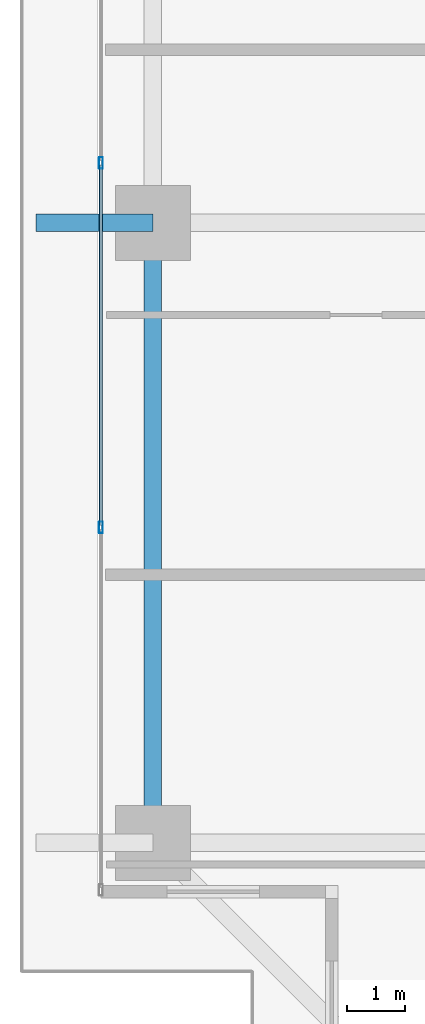
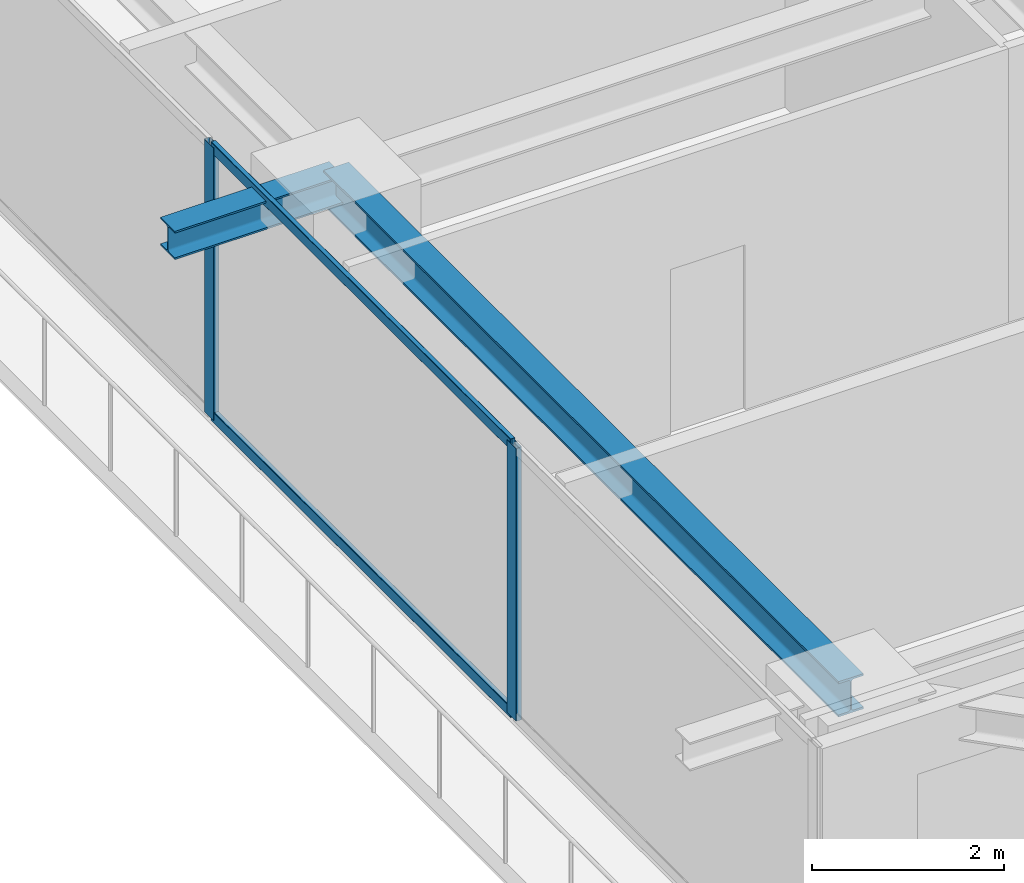
# One storey, part 7 of 36: 4 members, 2 beams, 1 element without a shape of its own.
"""IFC4 building model written with IfcOpenShell, lengths in metres."""

from ifc_helpers import new_model, si_unit, direction, frame, origin, origin_2d, place, context, subcontext, project, spatial, hollow_rectangle, i_section, extrude, source, transform, mapped, material, layer, layer_set, material_profile, profile_set, type_object, element, aggregate, save


model = new_model("IFC4")

# Units and contexts
model_context = context("Model", 3, precision=1e-05, world=origin(), true_north=direction((0.0, 1.0)))
body_context = subcontext(model_context, "Body", "Model", "MODEL_VIEW")
ifc_project = project(units=[si_unit("LENGTHUNIT", "METRE"), si_unit("AREAUNIT", "SQUARE_METRE"), si_unit("VOLUMEUNIT", "CUBIC_METRE"), si_unit("PLANEANGLEUNIT", "RADIAN"), si_unit("MASSUNIT", "GRAM", prefix="KILO")], contexts=[model_context])

# Site, building, storey
site_placement = place(None, origin())
site = spatial("IfcSite", under=ifc_project, at=site_placement, CompositionType="ELEMENT")
building_placement = place(site_placement, origin())
building = spatial("IfcBuilding", under=site, at=building_placement, Name="Serunith Strait Residences", CompositionType="ELEMENT")
storey_placement = place(building_placement, frame((0.0, 0.0, 131.39990234375)))
storey = spatial("IfcBuildingStorey", under=building, at=storey_placement, Name="L32", CompositionType="ELEMENT", Elevation=131.39990234375)

# Beams
ifc_material_1 = material(Name="Steel S355J2", Category="steel")
ifc_material_profile_1 = material_profile(ifc_material_1, i_section(OverallWidth=0.300048828125, OverallDepth=0.449951171875, WebThickness=0.013916015625, FlangeThickness=0.02587890625, FilletRadius=0.027099609375, at=origin_2d()), Name="HEB 450")
ifc_profile_set_1 = profile_set([ifc_material_profile_1], Name="Steel S355J2")
beam_type_1 = type_object("IfcBeamType", Name="BM-HEB450", PredefinedType="BEAM", material=ifc_profile_set_1)
shared_shape_1 = source(origin(), body_context, "Body", "SweptSolid", [
    extrude(i_section(OverallWidth=0.300048828125, OverallDepth=0.449951171875, WebThickness=0.013916015625, FlangeThickness=0.02587890625, FilletRadius=0.027099609375, at=origin_2d()), origin(), (0.0, 0.0, 1.0), 10.75),
])
beam_1_placement = place(storey_placement, frame((8.699951171875, 21.0, 3.26220703125), z_axis=(0.0, -1.0, 0.0), x_axis=(1.0, 0.0, 0.0)))
element("IfcBeam", 1, at=beam_1_placement, inside=storey, type_object=beam_type_1, Name="L32 Perimeter Ring Beam 15", PredefinedType="BEAM", context=body_context, shape_type="MappedRepresentation", body=[
    mapped(shared_shape_1, transform((0.0, 0.0, 0.0), scale=1.0)),
])
ifc_material_profile_2 = material_profile(ifc_material_1, i_section(OverallWidth=0.300048828125, OverallDepth=0.360107421875, WebThickness=0.012451171875, FlangeThickness=0.0224609375, FilletRadius=0.027099609375, at=origin_2d()), Name="HEB 360")
ifc_profile_set_2 = profile_set([ifc_material_profile_2], Name="Steel S355J2")
beam_type_2 = type_object("IfcBeamType", Name="BM-HEB360", PredefinedType="BEAM", material=ifc_profile_set_2)
shared_shape_2 = source(origin(), body_context, "Body", "SweptSolid", [
    extrude(i_section(OverallWidth=0.300048828125, OverallDepth=0.360107421875, WebThickness=0.012451171875, FlangeThickness=0.0224609375, FilletRadius=0.027099609375, at=origin_2d()), origin(), (0.0, 0.0, 1.0), 2.030029296875),
])
beam_2_placement = place(storey_placement, frame((8.699951171875, 21.0, 3.277099609375), z_axis=(-1.0, 0.0, 0.0), x_axis=(0.0, -1.0, 0.0)))
element("IfcBeam", 2, at=beam_2_placement, inside=storey, type_object=beam_type_2, Name="L33 Cantilevered Balcony Rib TC-W2", PredefinedType="BEAM", context=body_context, shape_type="MappedRepresentation", body=[
    mapped(shared_shape_2, transform((0.0, 0.0, 0.0), scale=1.0)),
])

# Curtain wall, members
ifc_material_2 = material(Name="Pale-Champagne Anodised Aluminium", Category="aluminium")
ifc_layer = layer(ifc_material_2, 0.199951171875, Name="Pale-Champagne Anodised Aluminium")
ifc_layer_set = layer_set([ifc_layer], Name="Pale-Champagne Anodised Aluminium")
curtain_wall_type = type_object("IfcCurtainWallType", Name="CW-SYS2", PredefinedType="NOTDEFINED", material=ifc_layer_set)
curtain_wall_placement = place(storey_placement, origin())
curtain_wall = element("IfcCurtainWall", 3, at=curtain_wall_placement, inside=storey, type_object=curtain_wall_type, Name="L32 W Unitised Fritted Curtain Wall", PredefinedType="NOTDEFINED")
ifc_material_profile_3 = material_profile(ifc_material_2, hollow_rectangle(XDim=0.070068359375, YDim=0.199951171875, WallThickness=0.00390625, InnerFilletRadius=0.006103515625, OuterFilletRadius=0.010009765625, at=origin_2d()), Name="ALU 200x70x4")
ifc_profile_set_3 = profile_set([ifc_material_profile_3], Name="Pale-Champagne Anodised Aluminium")
member_type_1 = type_object("IfcMemberType", Name="CW-SYS2-MULL", PredefinedType="MULLION", material=ifc_profile_set_3)
shared_shape_3 = source(origin(), body_context, "Body", "SweptSolid", [
    extrude(hollow_rectangle(XDim=0.070068359375, YDim=0.199951171875, WallThickness=0.00390625, InnerFilletRadius=0.006103515625, OuterFilletRadius=0.010009765625, at=origin_2d()), origin(), (0.0, 0.0, 1.0), 3.47509765625),
])
member_1_placement = place(storey_placement, frame((7.800048828125, 22.0400390625, 0.0), z_axis=(0.0, 0.0, 1.0), x_axis=(1.0, 0.0, 0.0)))
member_1 = element("IfcMember", 4, at=member_1_placement, type_object=member_type_1, Name="CW-2 mullion 4", PredefinedType="MULLION", context=body_context, shape_type="MappedRepresentation", body=[
    mapped(shared_shape_3, transform((0.0, 0.0, 0.0), scale=1.0)),
])
member_2_placement = place(storey_placement, frame((7.800048828125, 15.719970703125, 0.0), z_axis=(0.0, 0.0, 1.0), x_axis=(1.0, 0.0, 0.0)))
member_2 = element("IfcMember", 5, at=member_2_placement, type_object=member_type_1, Name="CW-2 mullion 5", PredefinedType="MULLION", context=body_context, shape_type="MappedRepresentation", body=[
    mapped(shared_shape_3, transform((0.0, 0.0, 0.0), scale=1.0)),
])
ifc_material_profile_4 = material_profile(ifc_material_2, hollow_rectangle(XDim=0.06005859375, YDim=0.139892578125, WallThickness=0.00341796875, InnerFilletRadius=0.00537109375, OuterFilletRadius=0.0087890625, at=origin_2d()), Name="ALU 140x60x3.5")
ifc_profile_set_4 = profile_set([ifc_material_profile_4], Name="Pale-Champagne Anodised Aluminium")
member_type_2 = type_object("IfcMemberType", Name="CW-SYS2-TRAN", PredefinedType="USERDEFINED", material=ifc_profile_set_4)
shared_shape_4 = source(origin(), body_context, "Body", "SweptSolid", [
    extrude(hollow_rectangle(XDim=0.06005859375, YDim=0.139892578125, WallThickness=0.00341796875, InnerFilletRadius=0.00537109375, OuterFilletRadius=0.0087890625, at=origin_2d()), origin(), (0.0, 0.0, 1.0), 6.25),
])
member_3_placement = place(storey_placement, frame((7.800048828125, 22.0048828125, 0.030029296875), z_axis=(0.0, -1.0, 0.0), x_axis=(1.0, 0.0, 0.0)))
member_3 = element("IfcMember", 6, at=member_3_placement, type_object=member_type_2, Name="CW-2 transom 4.1", ObjectType="TRANSOM", PredefinedType="USERDEFINED", context=body_context, shape_type="MappedRepresentation", body=[
    mapped(shared_shape_4, transform((0.0, 0.0, 0.0), scale=1.0)),
])
member_4_placement = place(storey_placement, frame((7.800048828125, 22.0048828125, 3.445068359375), z_axis=(0.0, -1.0, 0.0), x_axis=(1.0, 0.0, 0.0)))
member_4 = element("IfcMember", 7, at=member_4_placement, type_object=member_type_2, Name="CW-2 transom 4.2", ObjectType="TRANSOM", PredefinedType="USERDEFINED", context=body_context, shape_type="MappedRepresentation", body=[
    mapped(shared_shape_4, transform((0.0, 0.0, 0.0), scale=1.0)),
])
aggregate(curtain_wall, [member_1, member_2, member_3, member_4])

save(model, "model.ifc")
